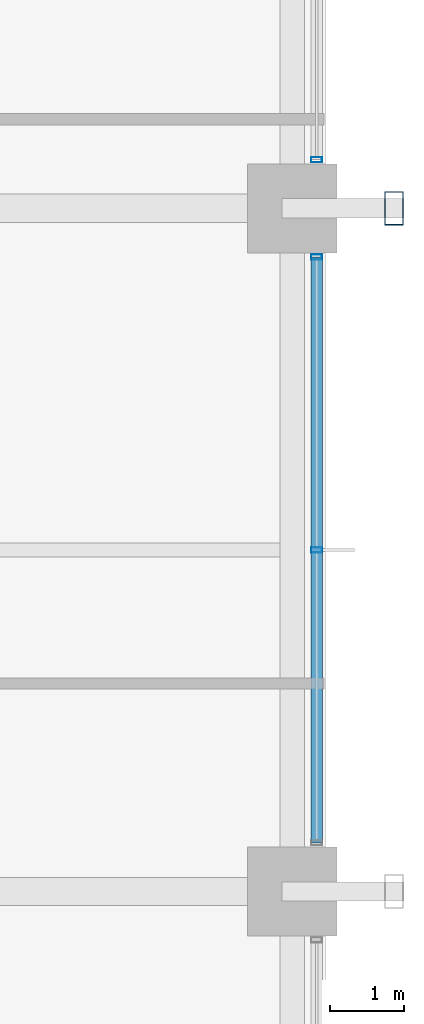
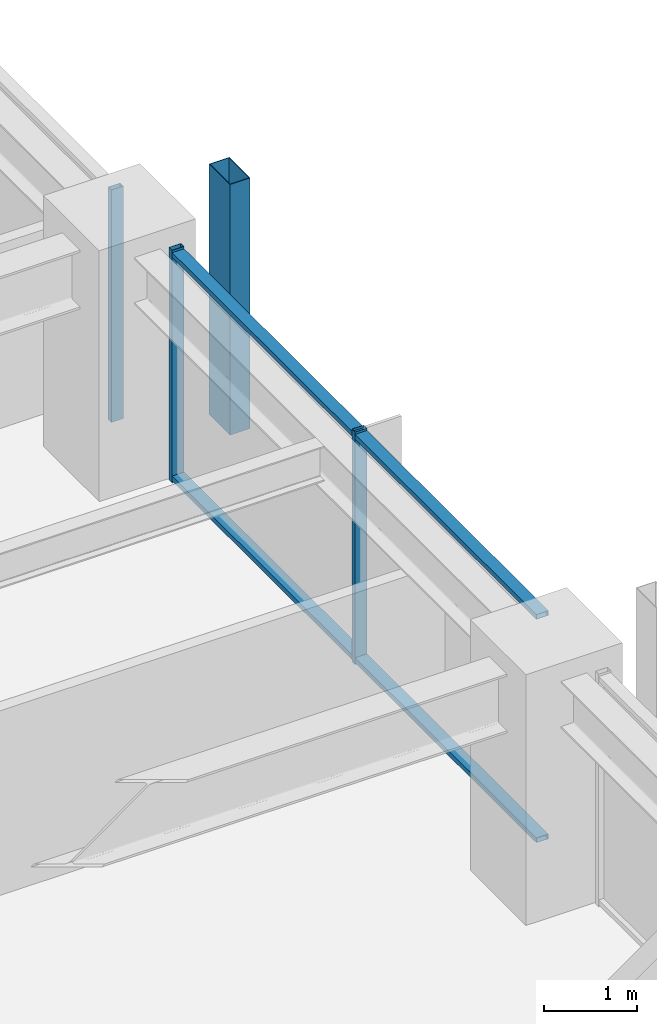
# One storey, part 15 of 38: 6 members, 2 elements without a shape of their own.
"""IFC4 building model written with IfcOpenShell, lengths in metres."""

import ifcopenshell
import ifcopenshell.guid

model = None  # the IFC model being written
_history = None  # IfcOwnerHistory: only IFC2X3 demands one
_inside = {}  # id of a spatial element -> (the spatial element, [elements in it])
_under = {}  # id of a project, library or spatial element -> (it, [spatial elements below it])
_declared = {}  # id of a project -> (the project, [libraries it declares])
_typed = {}  # id of a type object -> (the type object, [elements of that type])
_made_of = {}  # id of a material, layer set ... -> (it, [elements and type objects made of it])


def new_model(schema):
    """Start an empty IFC model of exactly this schema.

    Asked for "IFC4X3", IfcOpenShell would pick the latest addendum, in which some entities
    have other attributes; the version numbers below select the first issue.
    IFC2X3 requires an IfcOwnerHistory on every rooted entity: one is made here for all.
    """
    global model, _history
    if schema == "IFC4X3":
        model = ifcopenshell.file(schema_version=(4, 3, 0, 0))
    else:
        model = ifcopenshell.file(schema=schema)
    _inside.clear()
    _under.clear()
    _declared.clear()
    _typed.clear()
    _made_of.clear()
    _history = None
    if model.schema == "IFC2X3":
        org = make("IfcOrganization", Name="unknown")
        user = make(
            "IfcPersonAndOrganization",
            ThePerson=make("IfcPerson", FamilyName="unknown"),
            TheOrganization=org,
        )
        app = make(
            "IfcApplication",
            ApplicationDeveloper=org,
            Version="unknown",
            ApplicationFullName="unknown",
            ApplicationIdentifier="unknown",
        )
        _history = make(
            "IfcOwnerHistory",
            OwningUser=user,
            OwningApplication=app,
            ChangeAction="ADDED",
            CreationDate=0,
        )
    return model


def make(cls, **values):
    """One entity of the class cls with the attributes given. An attribute that is None is left unset."""
    return model.create_entity(
        cls, **{name: value for name, value in values.items() if value is not None}
    )


def rooted(cls, **values):
    """An entity with a GlobalId (a new one), such as an element, a storey or a relation."""
    return make(cls, GlobalId=ifcopenshell.guid.new(), OwnerHistory=_history, **values)


def si_unit(unit_type, name, prefix=None):
    """IfcSIUnit, for example si_unit("LENGTHUNIT", "METRE", prefix="MILLI")."""
    return make("IfcSIUnit", UnitType=unit_type, Prefix=prefix, Name=name)


def assignment(units):
    """IfcUnitAssignment: the units of a project."""
    return None if units is None else make("IfcUnitAssignment", Units=units)


def point(xyz):
    """IfcCartesianPoint."""
    return None if xyz is None else make("IfcCartesianPoint", Coordinates=xyz)


def direction(xyz):
    """IfcDirection."""
    return None if xyz is None else make("IfcDirection", DirectionRatios=xyz)


def frame(location, z_axis=None, x_axis=None):
    """IfcAxis2Placement3D, a coordinate frame: its origin and axes. An axis left out is left unset."""
    return make(
        "IfcAxis2Placement3D",
        Location=point(location),
        Axis=direction(z_axis),
        RefDirection=direction(x_axis),
    )


def frame_2d(location, x_axis=None):
    """IfcAxis2Placement2D, a coordinate frame in the plane: its origin and x axis."""
    return make(
        "IfcAxis2Placement2D", Location=point(location), RefDirection=direction(x_axis)
    )


def origin():
    """The frame at (0, 0, 0) with its axes left unset."""
    return frame((0.0, 0.0, 0.0))


def origin_2d():
    """The frame at (0, 0) in the plane with its x axis left unset."""
    return frame_2d((0.0, 0.0))


def place(relative_to, where):
    """IfcLocalPlacement: puts the frame where relative to a parent placement (None: the world)."""
    return make(
        "IfcLocalPlacement", PlacementRelTo=relative_to, RelativePlacement=where
    )


def context(
    kind, dimensions, precision=None, world=None, true_north=None, identifier=None
):
    """IfcGeometricRepresentationContext, for example the 3D "Model" context."""
    return make(
        "IfcGeometricRepresentationContext",
        ContextIdentifier=identifier,
        ContextType=kind,
        CoordinateSpaceDimension=dimensions,
        Precision=precision,
        WorldCoordinateSystem=world,
        TrueNorth=true_north,
    )


def subcontext(parent, identifier, kind, view, scale=None):
    """IfcGeometricRepresentationSubContext, for example "Body" below "Model"."""
    return make(
        "IfcGeometricRepresentationSubContext",
        ContextIdentifier=identifier,
        ContextType=kind,
        ParentContext=parent,
        TargetScale=scale,
        TargetView=view,
    )


def project(units=None, contexts=None):
    """IfcProject with its units and contexts."""
    return rooted(
        "IfcProject",
        Name="project",
        RepresentationContexts=contexts,
        UnitsInContext=assignment(units),
    )


def spatial(cls, under=None, at=None, **own):
    """A site, building, storey or space (cls), placed at a placement, below another one or the project."""
    s = rooted(cls, ObjectPlacement=at, **own)
    if under is not None:
        _under.setdefault(under.id(), (under, []))[1].append(s)
    return s


def profile(cls, at=None, kind="AREA", **sizes):
    """A parametric profile (cls). Its sizes go by their IFC names, for example OverallWidth=200.0."""
    return make(cls, ProfileType=kind, Position=at, **sizes)


def hollow_rectangle(**sizes):
    """IfcRectangleHollowProfileDef."""
    return profile("IfcRectangleHollowProfileDef", **sizes)


def extrude(swept, where, along, depth):
    """IfcExtrudedAreaSolid: the profile swept, set in the frame where, extruded along a direction by depth."""
    return make(
        "IfcExtrudedAreaSolid",
        SweptArea=swept,
        Position=where,
        ExtrudedDirection=direction(along),
        Depth=depth,
    )


def shape(context_of_items, identifier, shape_type, items):
    """IfcShapeRepresentation: the items that make up one representation, for example the "Body"."""
    return make(
        "IfcShapeRepresentation",
        ContextOfItems=context_of_items,
        RepresentationIdentifier=identifier,
        RepresentationType=shape_type,
        Items=items,
    )


def material(Name=None, Category=None):
    """IfcMaterial."""
    return make("IfcMaterial", Name=Name, Category=Category)


def material_profile(
    of_material, cross_section, Name=None, Category=None, Priority=None
):
    """IfcMaterialProfile: a cross section and its material."""
    return make(
        "IfcMaterialProfile",
        Name=Name,
        Material=of_material,
        Profile=cross_section,
        Priority=Priority,
        Category=Category,
    )


def profile_set(profiles, Name=None, composite=None):
    """IfcMaterialProfileSet."""
    return make(
        "IfcMaterialProfileSet",
        Name=Name,
        MaterialProfiles=profiles,
        CompositeProfile=composite,
    )


def made_of(thing, what):
    """Note that an element or type object is made of a material, layer set ...; save() writes the relation."""
    if what is not None:
        _made_of.setdefault(what.id(), (what, []))[1].append(thing)
    return thing


def type_object(cls, material=None, **own):
    """A type object (cls), such as IfcWallType, which elements share."""
    return made_of(rooted(cls, **own), material)


def element(
    cls,
    number,
    at=None,
    inside=None,
    cuts=None,
    type_object=None,
    material=None,
    context=None,
    identifier="Body",
    shape_type=None,
    held_by="IfcProductDefinitionShape",
    body=None,
    shapes=None,
    **own,
):
    """One element of the class cls, such as IfcWall. Its Tag is "e" and its number.

    at: its placement. inside: the storey or other place that contains it. cuts: it is an
    opening in that element (IfcRelVoidsElement). A single representation is given by context,
    identifier, shape_type and body (its items); several are given by shapes. held_by: the class
    of the entity that holds the representations. save() writes the other relations.
    """
    e = rooted(cls, Tag="e%d" % number, ObjectPlacement=at, **own)
    if body is not None:
        shapes = [shape(context, identifier, shape_type, body)]
    if shapes is not None:
        e.Representation = make(held_by, Representations=shapes)
    if inside is not None:
        _inside.setdefault(inside.id(), (inside, []))[1].append(e)
    if cuts is not None:
        rooted(
            "IfcRelVoidsElement", RelatingBuildingElement=cuts, RelatedOpeningElement=e
        )
    if type_object is not None:
        _typed.setdefault(type_object.id(), (type_object, []))[1].append(e)
    return made_of(e, material)


def aggregate(whole, parts):
    """IfcRelAggregates: a whole, such as a stair, and the parts it consists of."""
    return rooted("IfcRelAggregates", RelatingObject=whole, RelatedObjects=parts)


def save(model, path):
    """Write the relations noted so far, then the file.

    IfcRelAggregates (storeys below a building ...), IfcRelContainedInSpatialStructure (elements
    in a storey), IfcRelDefinesByType, IfcRelAssociatesMaterial and IfcRelDeclares: one each for
    every whole, place, type object, material and project.
    """
    for whole, parts in _under.values():
        aggregate(whole, parts)
    for where, things in _inside.values():
        rooted(
            "IfcRelContainedInSpatialStructure",
            RelatedElements=things,
            RelatingStructure=where,
        )
    for kind, things in _typed.values():
        rooted("IfcRelDefinesByType", RelatedObjects=things, RelatingType=kind)
    for what, things in _made_of.values():
        rooted("IfcRelAssociatesMaterial", RelatedObjects=things, RelatingMaterial=what)
    for by, libraries in _declared.values():
        rooted("IfcRelDeclares", RelatingContext=by, RelatedDefinitions=libraries)
    model.write(path)


model = new_model("IFC4")

# Units and contexts
model_context = context("Model", 3, precision=1e-05, world=origin(), true_north=direction((0.0, 1.0)))
body_context = subcontext(model_context, "Body", "Model", "MODEL_VIEW")
ifc_project = project(units=[si_unit("LENGTHUNIT", "METRE"), si_unit("AREAUNIT", "SQUARE_METRE"), si_unit("VOLUMEUNIT", "CUBIC_METRE"), si_unit("PLANEANGLEUNIT", "RADIAN"), si_unit("MASSUNIT", "GRAM", prefix="KILO")], contexts=[model_context])

# Site, building, storey
site_placement = place(None, origin())
site = spatial("IfcSite", under=ifc_project, at=site_placement, CompositionType="ELEMENT")
building_placement = place(site_placement, origin())
building = spatial("IfcBuilding", under=site, at=building_placement, Name="Kolvaren Belvedere", CompositionType="ELEMENT")
storey_placement = place(building_placement, frame((0.0, 0.0, 50.199951171875)))
storey = spatial("IfcBuildingStorey", under=building, at=storey_placement, Name="L14", CompositionType="ELEMENT", Elevation=50.199951171875)

# Curtain wall, member
ifc_material_1 = material(Name="Anodised pale-metal aluminium AA 6063-T6", Category="aluminium")
curtain_wall_type = type_object("IfcCurtainWallType", Name="CW-Z1-LOW", PredefinedType="NOTDEFINED", material=ifc_material_1)
curtain_wall_1_placement = place(storey_placement, origin())
curtain_wall_1 = element("IfcCurtainWall", 1, at=curtain_wall_1_placement, inside=storey, type_object=curtain_wall_type, Name="L14 Unitised Curtain Wall FCW-L14-E-B1", PredefinedType="NOTDEFINED")
ifc_material_2 = material(Name="Anodised pale-metal aluminium AA 6063-T6", Category="aluminium")
ifc_material_profile_1 = material_profile(ifc_material_2, hollow_rectangle(XDim=0.070068359375, YDim=0.14990234375, WallThickness=0.004150390625, at=origin_2d()), Name="ALU-MUL-150X70")
ifc_profile_set_1 = profile_set([ifc_material_profile_1], Name="Anodised pale-metal aluminium AA 6063-T6")
member_type_1 = type_object("IfcMemberType", Name="CW-MUL-150", PredefinedType="MULLION", material=ifc_profile_set_1)
member_1_placement = place(storey_placement, frame((21.8798828125, 5.2548828125, 0.0), z_axis=(0.0, 0.0, 1.0), x_axis=(0.0, 1.0, 0.0)))
member_1 = element("IfcMember", 2, at=member_1_placement, type_object=member_type_1, Name="FCW-L14-E-B1 Unitised Mullion 3", PredefinedType="MULLION", context=body_context, shape_type="SweptSolid", body=[
    extrude(hollow_rectangle(XDim=0.070068359375, YDim=0.14990234375, WallThickness=0.004150390625, at=origin_2d()), origin(), (0.0, 0.0, 1.0), 3.06005859375),
])
aggregate(curtain_wall_1, [member_1])

# Curtain wall, members
curtain_wall_2_placement = place(storey_placement, origin())
curtain_wall_2 = element("IfcCurtainWall", 3, at=curtain_wall_2_placement, inside=storey, type_object=curtain_wall_type, Name="L14 Unitised Curtain Wall FCW-L14-E-B2", PredefinedType="NOTDEFINED")
member_2_placement = place(storey_placement, frame((21.8798828125, 3.945068359375, 0.0), z_axis=(0.0, 0.0, 1.0), x_axis=(0.0, 1.0, 0.0)))
member_2 = element("IfcMember", 4, at=member_2_placement, type_object=member_type_1, Name="FCW-L14-E-B2 Unitised Mullion 1", PredefinedType="MULLION", context=body_context, shape_type="SweptSolid", body=[
    extrude(hollow_rectangle(XDim=0.070068359375, YDim=0.14990234375, WallThickness=0.004150390625, at=origin_2d()), origin(), (0.0, 0.0, 1.0), 3.06005859375),
])
member_3_placement = place(storey_placement, frame((21.8798828125, 0.0, 0.0), z_axis=(0.0, 0.0, 1.0), x_axis=(0.0, 1.0, 0.0)))
member_3 = element("IfcMember", 5, at=member_3_placement, type_object=member_type_1, Name="FCW-L14-E-B2 Unitised Mullion 2", PredefinedType="MULLION", context=body_context, shape_type="SweptSolid", body=[
    extrude(hollow_rectangle(XDim=0.070068359375, YDim=0.14990234375, WallThickness=0.004150390625, at=origin_2d()), origin(), (0.0, 0.0, 1.0), 3.06005859375),
])
ifc_material_3 = material(Name="Anodised pale-metal aluminium AA 6063-T6", Category="aluminium")
ifc_material_profile_2 = material_profile(ifc_material_3, hollow_rectangle(XDim=0.06494140625, YDim=0.14990234375, WallThickness=0.00390625, at=origin_2d()), Name="ALU-TRN-150X65")
ifc_profile_set_2 = profile_set([ifc_material_profile_2], Name="Anodised pale-metal aluminium AA 6063-T6")
member_type_2 = type_object("IfcMemberType", Name="CW-TRN-150", PredefinedType="USERDEFINED", material=ifc_profile_set_2)
member_4_placement = place(storey_placement, frame((21.8798828125, 3.945068359375, 0.06005859375), z_axis=(0.0, -1.0, 0.0), x_axis=(0.0, 0.0, 1.0)))
member_4 = element("IfcMember", 6, at=member_4_placement, type_object=member_type_2, Name="FCW-L14-E-B2 Sill Transom", ObjectType="TRANSOM", PredefinedType="USERDEFINED", context=body_context, shape_type="SweptSolid", body=[
    extrude(hollow_rectangle(XDim=0.06494140625, YDim=0.14990234375, WallThickness=0.00390625, at=origin_2d()), origin(), (0.0, 0.0, 1.0), 7.89013671875),
])
member_5_placement = place(storey_placement, frame((21.8798828125, 3.945068359375, 3.0), z_axis=(0.0, -1.0, 0.0), x_axis=(0.0, 0.0, 1.0)))
member_5 = element("IfcMember", 7, at=member_5_placement, type_object=member_type_2, Name="FCW-L14-E-B2 Head Transom", ObjectType="TRANSOM", PredefinedType="USERDEFINED", context=body_context, shape_type="SweptSolid", body=[
    extrude(hollow_rectangle(XDim=0.06494140625, YDim=0.14990234375, WallThickness=0.00390625, at=origin_2d()), origin(), (0.0, 0.0, 1.0), 7.89013671875),
])
aggregate(curtain_wall_2, [member_2, member_3, member_4, member_5])

# Member
ifc_material_4 = material(Name="Anodised pale-metal aluminium AA 6063-T6", Category="aluminium")
ifc_material_profile_3 = material_profile(ifc_material_4, hollow_rectangle(XDim=0.25, YDim=0.449951171875, WallThickness=0.008544921875, at=origin_2d()), Name="ALU-PF-450X250")
ifc_profile_set_3 = profile_set([ifc_material_profile_3], Name="Anodised pale-metal aluminium AA 6063-T6")
member_type_3 = type_object("IfcMemberType", Name="PF-FRAME-450", PredefinedType="USERDEFINED", material=ifc_profile_set_3)
member_6_placement = place(storey_placement, frame((22.919921875, 4.60009765625, 0.0), z_axis=(0.0, 0.0, 1.0), x_axis=(1.0, 0.0, 0.0)))
element("IfcMember", 8, at=member_6_placement, inside=storey, type_object=member_type_3, Name="L14 Outboard Picture-Frame Vertical E1", ObjectType="PICTURE FRAME FIN", PredefinedType="USERDEFINED", context=body_context, shape_type="SweptSolid", body=[
    extrude(hollow_rectangle(XDim=0.25, YDim=0.449951171875, WallThickness=0.008544921875, at=origin_2d()), origin(), (0.0, 0.0, 1.0), 3.300048828125),
])

save(model, "model.ifc")
